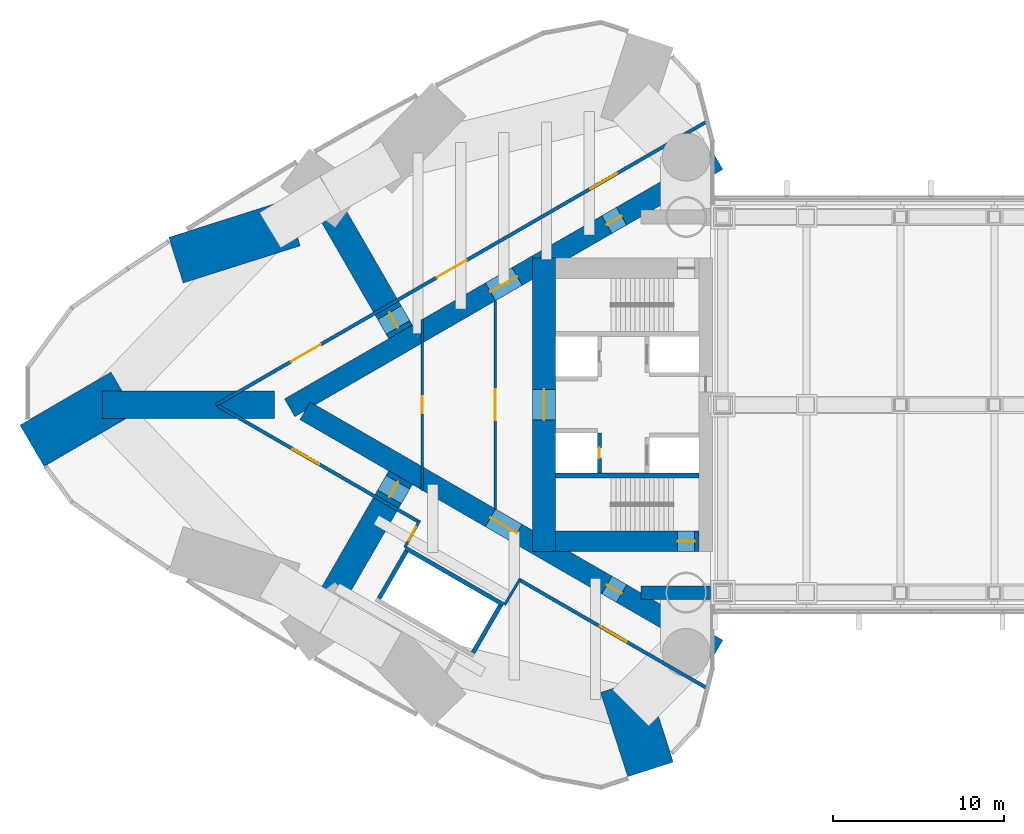
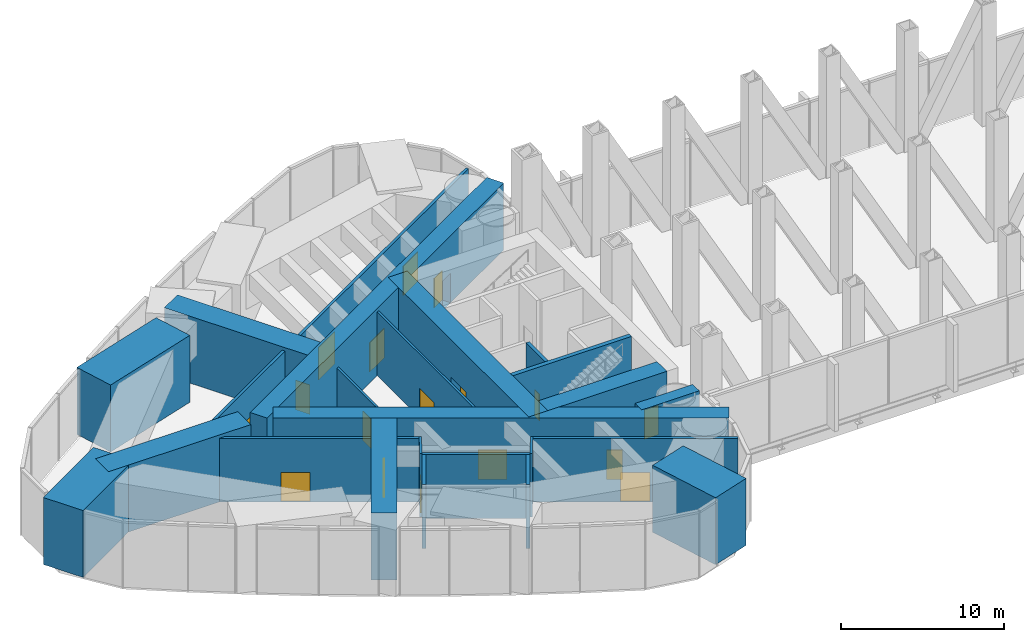
# One storey, part 16 of 21: 23 walls, 17 doors, 17 openings.
"""IFC4 building model written with IfcOpenShell, lengths in metres."""

from ifc_helpers import new_model, si_unit, direction, frame, frame_2d, origin, place, context, subcontext, project, spatial, rectangle, extrude, material, layer, layer_set, type_object, element, fill, save


model = new_model("IFC4")

# Units and contexts
model_context = context("Model", 3, precision=1e-05, world=origin(), true_north=direction((0.0, 1.0)))
body_context = subcontext(model_context, "Body", "Model", "MODEL_VIEW")
ifc_project = project(units=[si_unit("LENGTHUNIT", "METRE"), si_unit("AREAUNIT", "SQUARE_METRE"), si_unit("VOLUMEUNIT", "CUBIC_METRE"), si_unit("PLANEANGLEUNIT", "RADIAN"), si_unit("MASSUNIT", "GRAM", prefix="KILO")], contexts=[model_context])

# Site, building, storey
site_placement = place(None, origin())
site = spatial("IfcSite", under=ifc_project, at=site_placement, CompositionType="ELEMENT")
building_placement = place(site_placement, origin())
building = spatial("IfcBuilding", under=site, at=building_placement, Name="Lancet Gate Hotel", CompositionType="ELEMENT")
storey_placement = place(building_placement, frame((0.0, 0.0, 205.300048828125)))
storey = spatial("IfcBuildingStorey", under=building, at=storey_placement, Name="L55", CompositionType="ELEMENT", Elevation=205.300048828125)

# Wall, openings, doors
ifc_material_1 = material(Name="Concrete C70/85", Category="concrete")
ifc_layer_1 = layer(ifc_material_1, 1.199951171875)
ifc_layer_set_1 = layer_set([ifc_layer_1], Name="Buttress wall 1200")
wall_type_1 = type_object("IfcWallType", Name="Buttress wall 1200", PredefinedType="SHEAR", material=ifc_layer_set_1)
wall_1_placement = place(storey_placement, frame((-27.199951171875, 14.300048828125, 0.0), z_axis=(0.0, 0.0, 1.0), x_axis=(-0.866026593062, -0.499997940104, 0.0)))
wall_1 = element("IfcWall", 1, at=wall_1_placement, inside=storey, type_object=wall_type_1, Name="T1 buttress wall S L55", PredefinedType="SHEAR", context=body_context, shape_type="SweptSolid", body=[
    extrude(rectangle(XDim=28.9462890625, YDim=1.199951171875, at=frame_2d((14.47314453125, 0.0))), origin(), (0.0, 0.0, 1.0), 5.0),
])
opening_1_placement = place(wall_1_placement, frame((6.5, 0.0, 0.0)))
opening_1 = element("IfcOpeningElement", 2, at=opening_1_placement, cuts=wall_1, Name="Opening T1-L55-LS", PredefinedType="OPENING", context=body_context, shape_type="SweptSolid", body=[
    extrude(rectangle(XDim=1.0, YDim=2.199951171875, at=frame_2d((0.5, 1.10009765625))), frame((0.0, 0.60986328125, 0.0), z_axis=(0.0, -1.0, 0.0), x_axis=(1.0, 0.0, 0.0)), (0.0, 0.0, 1.0), 1.219970703125),
])
opening_2_placement = place(wall_1_placement, frame((13.567626953125, 0.0, 0.0)))
opening_2 = element("IfcOpeningElement", 3, at=opening_2_placement, cuts=wall_1, Name="Opening T1-L55-LHS", PredefinedType="OPENING", context=body_context, shape_type="SweptSolid", body=[
    extrude(rectangle(XDim=1.800048828125, YDim=2.199951171875, at=frame_2d((0.89990234375, 1.10009765625))), frame((0.0, 0.60986328125, 0.0), z_axis=(0.0, -1.0, 0.0), x_axis=(1.0, 0.0, 0.0)), (0.0, 0.0, 1.0), 1.219970703125),
])
ifc_material_2 = material(Name="Timber door set", Category="wood")
door_type_1 = type_object("IfcDoorType", Name="Lobby double door 1800", OperationType="DOUBLE_DOOR_SINGLE_SWING", PredefinedType="DOOR", material=ifc_material_2)
door_1_placement = place(opening_2_placement, origin())
door_1 = element("IfcDoor", 4, at=door_1_placement, inside=storey, type_object=door_type_1, Name="T1-L55-LHS", OperationType="DOUBLE_DOOR_SINGLE_SWING", OverallHeight=2.199951171875, OverallWidth=1.800048828125, PredefinedType="DOOR", context=body_context, shape_type="SweptSolid", body=[
    extrude(rectangle(XDim=1.800048828125, YDim=2.199951171875, at=frame_2d((0.89990234375, 1.10009765625))), frame((0.0, 0.02490234375, 0.0), z_axis=(0.0, -1.0, 0.0), x_axis=(1.0, 0.0, 0.0)), (0.0, 0.0, 1.0), 0.050048828125),
])
fill(opening_2, door_1)
ifc_material_3 = material(Name="Timber door set", Category="wood")
door_type_2 = type_object("IfcDoorType", Name="Stair lobby door 1000", OperationType="SINGLE_SWING_LEFT", PredefinedType="DOOR", material=ifc_material_3)
door_2_placement = place(opening_1_placement, origin())
door_2 = element("IfcDoor", 5, at=door_2_placement, inside=storey, type_object=door_type_2, Name="T1-L55-LS", OperationType="SINGLE_SWING_LEFT", OverallHeight=2.199951171875, OverallWidth=1.0, PredefinedType="DOOR", context=body_context, shape_type="SweptSolid", body=[
    extrude(rectangle(XDim=1.0, YDim=2.199951171875, at=frame_2d((0.5, 1.10009765625))), frame((0.0, 0.02490234375, 0.0), z_axis=(0.0, -1.0, 0.0), x_axis=(1.0, 0.0, 0.0)), (0.0, 0.0, 1.0), 0.050048828125),
])
fill(opening_1, door_2)

wall_2_placement = place(storey_placement, frame((-27.199951171875, -14.300048828125, 0.0), z_axis=(0.0, 0.0, 1.0), x_axis=(-0.866024021859, 0.500002393557, 0.0)))
wall_2 = element("IfcWall", 6, at=wall_2_placement, inside=storey, type_object=wall_type_1, Name="T1 buttress wall N L55", PredefinedType="SHEAR", context=body_context, shape_type="SweptSolid", body=[
    extrude(rectangle(XDim=27.906982421875, YDim=1.199951171875, at=frame_2d((13.95361328125, 0.0))), origin(), (0.0, 0.0, 1.0), 5.0),
])
opening_3_placement = place(wall_2_placement, frame((6.5, 0.0, 0.0)))
opening_3 = element("IfcOpeningElement", 7, at=opening_3_placement, cuts=wall_2, Name="Opening T1-L55-LN", PredefinedType="OPENING", context=body_context, shape_type="SweptSolid", body=[
    extrude(rectangle(XDim=1.0, YDim=2.199951171875, at=frame_2d((0.5, 1.10009765625))), frame((0.0, 0.60986328125, 0.0), z_axis=(0.0, -1.0, 0.0), x_axis=(1.0, 0.0, 0.0)), (0.0, 0.0, 1.0), 1.219970703125),
])
opening_4_placement = place(wall_2_placement, frame((13.567626953125, 0.0, 0.0)))
opening_4 = element("IfcOpeningElement", 8, at=opening_4_placement, cuts=wall_2, Name="Opening T1-L55-LHN", PredefinedType="OPENING", context=body_context, shape_type="SweptSolid", body=[
    extrude(rectangle(XDim=1.800048828125, YDim=2.199951171875, at=frame_2d((0.89990234375, 1.10009765625))), frame((0.0, 0.60986328125, 0.0), z_axis=(0.0, -1.0, 0.0), x_axis=(1.0, 0.0, 0.0)), (0.0, 0.0, 1.0), 1.219970703125),
])
door_3_placement = place(opening_4_placement, origin())
door_3 = element("IfcDoor", 9, at=door_3_placement, inside=storey, type_object=door_type_1, Name="T1-L55-LHN", OperationType="DOUBLE_DOOR_SINGLE_SWING", OverallHeight=2.199951171875, OverallWidth=1.800048828125, PredefinedType="DOOR", context=body_context, shape_type="SweptSolid", body=[
    extrude(rectangle(XDim=1.800048828125, YDim=2.199951171875, at=frame_2d((0.89990234375, 1.10009765625))), frame((0.0, 0.02490234375, 0.0), z_axis=(0.0, -1.0, 0.0), x_axis=(1.0, 0.0, 0.0)), (0.0, 0.0, 1.0), 0.050048828125),
])
fill(opening_4, door_3)
door_4_placement = place(opening_3_placement, origin())
door_4 = element("IfcDoor", 10, at=door_4_placement, inside=storey, type_object=door_type_2, Name="T1-L55-LN", OperationType="SINGLE_SWING_LEFT", OverallHeight=2.199951171875, OverallWidth=1.0, PredefinedType="DOOR", context=body_context, shape_type="SweptSolid", body=[
    extrude(rectangle(XDim=1.0, YDim=2.199951171875, at=frame_2d((0.5, 1.10009765625))), frame((0.0, 0.02490234375, 0.0), z_axis=(0.0, -1.0, 0.0), x_axis=(1.0, 0.0, 0.0)), (0.0, 0.0, 1.0), 0.050048828125),
])
fill(opening_3, door_4)

# Wall, opening, door
ifc_material_4 = material(Name="Concrete C70/85", Category="concrete")
ifc_layer_2 = layer(ifc_material_4, 1.35009765625)
ifc_layer_set_2 = layer_set([ifc_layer_2], Name="Core back wall 1350, outrigger storeys")
wall_type_2 = type_object("IfcWallType", Name="Core back wall 1350, outrigger storeys", PredefinedType="SHEAR", material=ifc_layer_set_2)
wall_3_placement = place(storey_placement, frame((-37.375, 8.60009765625, 0.0), z_axis=(0.0, 0.0, 1.0), x_axis=(0.0, -1.0, 0.0)))
wall_3 = element("IfcWall", 11, at=wall_3_placement, inside=storey, type_object=wall_type_2, Name="T1 core wall back L55", PredefinedType="SHEAR", context=body_context, shape_type="SweptSolid", body=[
    extrude(rectangle(XDim=17.2001953125, YDim=1.35009765625, at=frame_2d((8.60009765625, 0.0))), origin(), (0.0, 0.0, 1.0), 5.0),
])
opening_5_placement = place(wall_3_placement, frame((7.699951171875, 0.0, 0.0)))
opening_5 = element("IfcOpeningElement", 12, at=opening_5_placement, cuts=wall_3, Name="Opening T1-L55-LL", PredefinedType="OPENING", context=body_context, shape_type="SweptSolid", body=[
    extrude(rectangle(XDim=1.800048828125, YDim=2.199951171875, at=frame_2d((0.89990234375, 1.10009765625))), frame((0.0, 0.68505859375, 0.0), z_axis=(0.0, -1.0, 0.0), x_axis=(1.0, 0.0, 0.0)), (0.0, 0.0, 1.0), 1.3701171875),
])
door_5_placement = place(opening_5_placement, origin())
door_5 = element("IfcDoor", 13, at=door_5_placement, inside=storey, type_object=door_type_1, Name="T1-L55-LL", OperationType="DOUBLE_DOOR_SINGLE_SWING", OverallHeight=2.199951171875, OverallWidth=1.800048828125, PredefinedType="DOOR", context=body_context, shape_type="SweptSolid", body=[
    extrude(rectangle(XDim=1.800048828125, YDim=2.199951171875, at=frame_2d((0.89990234375, 1.10009765625))), frame((0.0, 0.02490234375, 0.0), z_axis=(0.0, -1.0, 0.0), x_axis=(1.0, 0.0, 0.0)), (0.0, 0.0, 1.0), 0.050048828125),
])
fill(opening_5, door_5)

ifc_material_5 = material(Name="Concrete C70/85", Category="concrete")
ifc_layer_3 = layer(ifc_material_5, 1.199951171875)
ifc_layer_set_3 = layer_set([ifc_layer_3], Name="Core wall 1200")
wall_type_3 = type_object("IfcWallType", Name="Core wall 1200", PredefinedType="SHEAR", material=ifc_layer_set_3)
wall_4_placement = place(storey_placement, frame((-28.300048828125, -8.0, 0.0), z_axis=(0.0, 0.0, 1.0), x_axis=(-1.0, 0.0, 0.0)))
wall_4 = element("IfcWall", 14, at=wall_4_placement, inside=storey, type_object=wall_type_3, Name="T1 core wall side-N L55", PredefinedType="SHEAR", context=body_context, shape_type="SweptSolid", body=[
    extrude(rectangle(XDim=8.39990234375, YDim=1.199951171875, at=frame_2d((4.199951171875, 0.0))), origin(), (0.0, 0.0, 1.0), 5.0),
])
opening_6_placement = place(wall_4_placement, frame((0.25, 0.0, 0.0)))
opening_6 = element("IfcOpeningElement", 15, at=opening_6_placement, cuts=wall_4, Name="Opening T1-L55-ST2", PredefinedType="OPENING", context=body_context, shape_type="SweptSolid", body=[
    extrude(rectangle(XDim=1.0, YDim=2.199951171875, at=frame_2d((0.5, 1.10009765625))), frame((0.0, 0.60986328125, 0.0), z_axis=(0.0, -1.0, 0.0), x_axis=(1.0, 0.0, 0.0)), (0.0, 0.0, 1.0), 1.219970703125),
])
ifc_material_6 = material(Name="Timber door set", Category="wood")
door_type_3 = type_object("IfcDoorType", Name="Stair door 1000", OperationType="SINGLE_SWING_RIGHT", PredefinedType="DOOR", material=ifc_material_6)
door_6_placement = place(opening_6_placement, origin())
door_6 = element("IfcDoor", 16, at=door_6_placement, inside=storey, type_object=door_type_3, Name="T1-L55-ST2", OperationType="SINGLE_SWING_RIGHT", OverallHeight=2.199951171875, OverallWidth=1.0, PredefinedType="DOOR", context=body_context, shape_type="SweptSolid", body=[
    extrude(rectangle(XDim=1.0, YDim=2.199951171875, at=frame_2d((0.5, 1.10009765625))), frame((0.0, 0.02490234375, 0.0), z_axis=(0.0, -1.0, 0.0), x_axis=(1.0, 0.0, 0.0)), (0.0, 0.0, 1.0), 0.050048828125),
])
fill(opening_6, door_6)

# Wall, openings, doors
ifc_material_7 = material(Name="Gypsum board partition")
ifc_layer_4 = layer(ifc_material_7, 0.199951171875)
ifc_layer_set_4 = layer_set([ifc_layer_4], Name="Corridor wall 200")
wall_type_4 = type_object("IfcWallType", Name="Corridor wall 200", PredefinedType="PARTITIONING", material=ifc_layer_set_4)
wall_5_placement = place(storey_placement, frame((-27.860107421875, 16.57470703125, 0.0), z_axis=(0.0, 0.0, 1.0), x_axis=(-0.866025533911, -0.499999774615, 0.0)))
wall_5 = element("IfcWall", 17, at=wall_5_placement, inside=storey, type_object=wall_type_4, Name="T1 corridor wall 200 L55", PredefinedType="PARTITIONING", context=body_context, shape_type="SweptSolid", body=[
    extrude(rectangle(XDim=33.1494140625, YDim=0.199951171875, at=frame_2d((16.57470703125, 0.0))), origin(), (0.0, 0.0, 1.0), 4.75),
])
opening_7_placement = place(wall_5_placement, frame((6.05078125, 0.0, 0.0)))
opening_7 = element("IfcOpeningElement", 18, at=opening_7_placement, cuts=wall_5, Name="Opening T1-L55-TA01", PredefinedType="OPENING", context=body_context, shape_type="SweptSolid", body=[
    extrude(rectangle(XDim=1.800048828125, YDim=2.199951171875, at=frame_2d((0.89990234375, 1.10009765625))), frame((0.0, 0.10986328125, 0.0), z_axis=(0.0, -1.0, 0.0), x_axis=(1.0, 0.0, 0.0)), (0.0, 0.0, 1.0), 0.219970703125),
])
opening_8_placement = place(wall_5_placement, frame((16.23388671875, 0.0, 0.0)))
opening_8 = element("IfcOpeningElement", 19, at=opening_8_placement, cuts=wall_5, Name="Opening T1-L55-TA02", PredefinedType="OPENING", context=body_context, shape_type="SweptSolid", body=[
    extrude(rectangle(XDim=2.0, YDim=2.39990234375, at=frame_2d((1.0, 1.199951171875))), frame((0.0, 0.10986328125, 0.0), z_axis=(0.0, -1.0, 0.0), x_axis=(1.0, 0.0, 0.0)), (0.0, 0.0, 1.0), 0.219970703125),
])
opening_9_placement = place(wall_5_placement, frame((26.081787109375, 0.0, 0.0)))
opening_9 = element("IfcOpeningElement", 20, at=opening_9_placement, cuts=wall_5, Name="Opening T1-L55-TA03", PredefinedType="OPENING", context=body_context, shape_type="SweptSolid", body=[
    extrude(rectangle(XDim=2.0, YDim=2.39990234375, at=frame_2d((1.0, 1.199951171875))), frame((0.0, 0.10986328125, 0.0), z_axis=(0.0, -1.0, 0.0), x_axis=(1.0, 0.0, 0.0)), (0.0, 0.0, 1.0), 0.219970703125),
])
ifc_material_8 = material(Name="Timber door set", Category="wood")
door_type_4 = type_object("IfcDoorType", Name="Double door 1800", OperationType="DOUBLE_DOOR_SINGLE_SWING", PredefinedType="DOOR", material=ifc_material_8)
door_7_placement = place(opening_7_placement, origin())
door_7 = element("IfcDoor", 21, at=door_7_placement, inside=storey, type_object=door_type_4, Name="T1-L55-TA01", OperationType="DOUBLE_DOOR_SINGLE_SWING", OverallHeight=2.199951171875, OverallWidth=1.800048828125, PredefinedType="DOOR", context=body_context, shape_type="SweptSolid", body=[
    extrude(rectangle(XDim=1.800048828125, YDim=2.199951171875, at=frame_2d((0.89990234375, 1.10009765625))), frame((0.0, 0.02490234375, 0.0), z_axis=(0.0, -1.0, 0.0), x_axis=(1.0, 0.0, 0.0)), (0.0, 0.0, 1.0), 0.050048828125),
])
fill(opening_7, door_7)
ifc_material_9 = material(Name="Timber door set", Category="wood")
door_type_5 = type_object("IfcDoorType", Name="Plant room double door 2000", OperationType="DOUBLE_DOOR_SINGLE_SWING", PredefinedType="DOOR", material=ifc_material_9)
door_8_placement = place(opening_8_placement, origin())
door_8 = element("IfcDoor", 22, at=door_8_placement, inside=storey, type_object=door_type_5, Name="T1-L55-TA02", OperationType="DOUBLE_DOOR_SINGLE_SWING", OverallHeight=2.39990234375, OverallWidth=2.0, PredefinedType="DOOR", context=body_context, shape_type="SweptSolid", body=[
    extrude(rectangle(XDim=2.0, YDim=2.39990234375, at=frame_2d((1.0, 1.199951171875))), frame((0.0, 0.02490234375, 0.0), z_axis=(0.0, -1.0, 0.0), x_axis=(1.0, 0.0, 0.0)), (0.0, 0.0, 1.0), 0.050048828125),
])
fill(opening_8, door_8)
door_9_placement = place(opening_9_placement, origin())
door_9 = element("IfcDoor", 23, at=door_9_placement, inside=storey, type_object=door_type_5, Name="T1-L55-TA03", OperationType="DOUBLE_DOOR_SINGLE_SWING", OverallHeight=2.39990234375, OverallWidth=2.0, PredefinedType="DOOR", context=body_context, shape_type="SweptSolid", body=[
    extrude(rectangle(XDim=2.0, YDim=2.39990234375, at=frame_2d((1.0, 1.199951171875))), frame((0.0, 0.02490234375, 0.0), z_axis=(0.0, -1.0, 0.0), x_axis=(1.0, 0.0, 0.0)), (0.0, 0.0, 1.0), 0.050048828125),
])
fill(opening_9, door_9)

# Wall, opening, door
wall_6_placement = place(storey_placement, frame((-27.860107421875, -16.57470703125, 0.0), z_axis=(0.0, 0.0, 1.0), x_axis=(-0.866027756871, 0.499995924312, 0.0)))
wall_6 = element("IfcWall", 24, at=wall_6_placement, inside=storey, type_object=wall_type_4, Name="T1 corridor wall 200 L55", PredefinedType="PARTITIONING", context=body_context, shape_type="SweptSolid", body=[
    extrude(rectangle(XDim=12.6220703125, YDim=0.199951171875, at=frame_2d((6.31103515625, 0.0))), origin(), (0.0, 0.0, 1.0), 4.75),
])
opening_10_placement = place(wall_6_placement, frame((5.4111328125, 0.0, 0.0)))
opening_10 = element("IfcOpeningElement", 25, at=opening_10_placement, cuts=wall_6, Name="Opening T1-L55-TA08", PredefinedType="OPENING", context=body_context, shape_type="SweptSolid", body=[
    extrude(rectangle(XDim=1.800048828125, YDim=2.199951171875, at=frame_2d((0.89990234375, 1.10009765625))), frame((0.0, 0.10986328125, 0.0), z_axis=(0.0, -1.0, 0.0), x_axis=(1.0, 0.0, 0.0)), (0.0, 0.0, 1.0), 0.219970703125),
])
door_10_placement = place(opening_10_placement, origin())
door_10 = element("IfcDoor", 26, at=door_10_placement, inside=storey, type_object=door_type_4, Name="T1-L55-TA08", OperationType="DOUBLE_DOOR_SINGLE_SWING", OverallHeight=2.199951171875, OverallWidth=1.800048828125, PredefinedType="DOOR", context=body_context, shape_type="SweptSolid", body=[
    extrude(rectangle(XDim=1.800048828125, YDim=2.199951171875, at=frame_2d((0.89990234375, 1.10009765625))), frame((0.0, 0.02490234375, 0.0), z_axis=(0.0, -1.0, 0.0), x_axis=(1.0, 0.0, 0.0)), (0.0, 0.0, 1.0), 0.050048828125),
])
fill(opening_10, door_10)

wall_7_placement = place(storey_placement, frame((-44.715087890625, -6.843505859375, 0.0), z_axis=(0.0, 0.0, 1.0), x_axis=(-0.866025261224, 0.500000246922, 0.0)))
wall_7 = element("IfcWall", 27, at=wall_7_placement, inside=storey, type_object=wall_type_4, Name="T1 corridor wall 200 L55", PredefinedType="PARTITIONING", context=body_context, shape_type="SweptSolid", body=[
    extrude(rectangle(XDim=13.56689453125, YDim=0.199951171875, at=frame_2d((6.783447265625, 0.0))), origin(), (0.0, 0.0, 1.0), 4.75),
])
opening_11_placement = place(wall_7_placement, frame((6.71923828125, 0.0, 0.0)))
opening_11 = element("IfcOpeningElement", 28, at=opening_11_placement, cuts=wall_7, Name="Opening T1-L55-TA05", PredefinedType="OPENING", context=body_context, shape_type="SweptSolid", body=[
    extrude(rectangle(XDim=1.800048828125, YDim=2.199951171875, at=frame_2d((0.89990234375, 1.10009765625))), frame((0.0, 0.10986328125, 0.0), z_axis=(0.0, -1.0, 0.0), x_axis=(1.0, 0.0, 0.0)), (0.0, 0.0, 1.0), 0.219970703125),
])
door_11_placement = place(opening_11_placement, origin())
door_11 = element("IfcDoor", 29, at=door_11_placement, inside=storey, type_object=door_type_4, Name="T1-L55-TA05", OperationType="DOUBLE_DOOR_SINGLE_SWING", OverallHeight=2.199951171875, OverallWidth=1.800048828125, PredefinedType="DOOR", context=body_context, shape_type="SweptSolid", body=[
    extrude(rectangle(XDim=1.800048828125, YDim=2.199951171875, at=frame_2d((0.89990234375, 1.10009765625))), frame((0.0, 0.02490234375, 0.0), z_axis=(0.0, -1.0, 0.0), x_axis=(1.0, 0.0, 0.0)), (0.0, 0.0, 1.0), 0.050048828125),
])
fill(opening_11, door_11)

# Walls
ifc_material_10 = material(Name="Gypsum board partition")
ifc_layer_5 = layer(ifc_material_10, 0.25)
ifc_layer_set_5 = layer_set([ifc_layer_5], Name="Lift shaft partition 250")
wall_type_5 = type_object("IfcWallType", Name="Lift shaft partition 250", PredefinedType="PARTITIONING", material=ifc_layer_set_5)
wall_8_placement = place(storey_placement, frame((-39.757568359375, -11.697265625, 0.0), z_axis=(0.0, 0.0, 1.0), x_axis=(-0.866024194504, 0.500002094529, 0.0)))
element("IfcWall", 30, at=wall_8_placement, inside=storey, type_object=wall_type_5, Name="T1 lift shaft wall HL L55", PredefinedType="PARTITIONING", context=body_context, shape_type="SweptSolid", body=[
    extrude(rectangle(XDim=6.60009765625, YDim=0.25, at=frame_2d((3.300048828125, 0.0))), origin(), (0.0, 0.0, 1.0), 4.75),
])
for number, where, z_axis, x_axis, name in (
    (31, (-39.92822265625, -11.742919921875, 0.0), (0.0, 0.0, 1.0), (-0.499929347863, -0.866066190972, 0.0), "T1 lift shaft wall HL L55"),
    (32, (-45.427734375, -8.568115234375, 0.0), (0.0, 0.0, 1.0), (-0.499929347863, -0.866066190972, 0.0), "T1 lift shaft wall HL L55"),
):
    element("IfcWall", number, at=place(storey_placement, frame(where, z_axis=z_axis, x_axis=x_axis)), inside=storey, type_object=wall_type_5, Name=name, PredefinedType="PARTITIONING", context=body_context, shape_type="SweptSolid", body=[
        extrude(rectangle(XDim=3.20068359375, YDim=0.25, at=frame_2d((1.600341796875, 0.0))), origin(), (0.0, 0.0, 1.0), 4.75),
    ])

# Wall, opening, door
ifc_material_11 = material(Name="Concrete C50/60", Category="concrete")
ifc_layer_6 = layer(ifc_material_11, 0.25)
ifc_layer_set_6 = layer_set([ifc_layer_6], Name="Lift shaft wall 250")
wall_type_6 = type_object("IfcWallType", Name="Lift shaft wall 250", PredefinedType="SHEAR", material=ifc_layer_set_6)
wall_9_placement = place(storey_placement, frame((-34.125, -1.64990234375, 0.0), z_axis=(0.0, 0.0, 1.0), x_axis=(0.0, -1.0, 0.0)))
wall_9 = element("IfcWall", 33, at=wall_9_placement, inside=storey, type_object=wall_type_6, Name="T1 core wall row2-N L55", PredefinedType="SHEAR", context=body_context, shape_type="SweptSolid", body=[
    extrude(rectangle(XDim=2.35009765625, YDim=0.25, at=frame_2d((1.175048828125, 0.0))), origin(), (0.0, 0.0, 1.0), 5.0),
])
opening_12_placement = place(wall_9_placement, frame((0.875, 0.0, 0.0)))
opening_12 = element("IfcOpeningElement", 34, at=opening_12_placement, cuts=wall_9, Name="Opening T1-OL4-L55-E", PredefinedType="OPENING", context=body_context, shape_type="SweptSolid", body=[
    extrude(rectangle(XDim=0.60009765625, YDim=2.0, at=frame_2d((0.300048828125, 1.0))), frame((0.0, 0.135009765625, 0.0), z_axis=(0.0, -1.0, 0.0), x_axis=(1.0, 0.0, 0.0)), (0.0, 0.0, 1.0), 0.27001953125),
])
ifc_material_12 = material(Name="Steel door set", Category="steel")
door_type_6 = type_object("IfcDoorType", Name="Lift shaft emergency door 600x2000", OperationType="SLIDING_TO_LEFT", PredefinedType="DOOR", material=ifc_material_12)
door_12_placement = place(opening_12_placement, origin())
door_12 = element("IfcDoor", 35, at=door_12_placement, inside=storey, type_object=door_type_6, Name="T1-OL4-L55-E", OperationType="SLIDING_TO_LEFT", OverallHeight=2.0, OverallWidth=0.60009765625, PredefinedType="DOOR", context=body_context, shape_type="SweptSolid", body=[
    extrude(rectangle(XDim=0.60009765625, YDim=2.0, at=frame_2d((0.300048828125, 1.0))), frame((0.0, 0.02490234375, 0.0), z_axis=(0.0, -1.0, 0.0), x_axis=(1.0, 0.0, 0.0)), (0.0, 0.0, 1.0), 0.050048828125),
])
fill(opening_12, door_12)

ifc_material_13 = material(Name="Concrete C80/95", Category="concrete")
ifc_layer_7 = layer(ifc_material_13, 1.60009765625)
ifc_layer_set_7 = layer_set([ifc_layer_7], Name="Outrigger wall 1600")
wall_type_7 = type_object("IfcWallType", Name="Outrigger wall 1600", PredefinedType="SHEAR", material=ifc_layer_set_7)
wall_10_placement = place(storey_placement, frame((-45.7734375, 4.26953125, 0.0), z_axis=(0.0, 0.0, 1.0), x_axis=(-0.499995723283, 0.866027872934, 0.0)))
wall_10 = element("IfcWall", 36, at=wall_10_placement, inside=storey, type_object=wall_type_7, Name="T1 outrigger wall OS2 L55", PredefinedType="SHEAR", context=body_context, shape_type="SweptSolid", body=[
    extrude(rectangle(XDim=10.130859375, YDim=1.60009765625, at=frame_2d((5.0654296875, 0.0))), origin(), (0.0, 0.0, 1.0), 5.0),
])
opening_13_placement = place(wall_10_placement, frame((0.300048828125, 0.0, 0.0)))
opening_13 = element("IfcOpeningElement", 37, at=opening_13_placement, cuts=wall_10, Name="Opening T1-L55-LSO", PredefinedType="OPENING", context=body_context, shape_type="SweptSolid", body=[
    extrude(rectangle(XDim=1.0, YDim=2.199951171875, at=frame_2d((0.5, 1.10009765625))), frame((0.0, 0.81005859375, 0.0), z_axis=(0.0, -1.0, 0.0), x_axis=(1.0, 0.0, 0.0)), (0.0, 0.0, 1.0), 1.6201171875),
])
ifc_material_14 = material(Name="Timber door set", Category="wood")
door_type_7 = type_object("IfcDoorType", Name="Corridor door 1000", OperationType="SINGLE_SWING_LEFT", PredefinedType="DOOR", material=ifc_material_14)
door_13_placement = place(opening_13_placement, origin())
door_13 = element("IfcDoor", 38, at=door_13_placement, inside=storey, type_object=door_type_7, Name="T1-L55-LSO", OperationType="SINGLE_SWING_LEFT", OverallHeight=2.199951171875, OverallWidth=1.0, PredefinedType="DOOR", context=body_context, shape_type="SweptSolid", body=[
    extrude(rectangle(XDim=1.0, YDim=2.199951171875, at=frame_2d((0.5, 1.10009765625))), frame((0.0, 0.02490234375, 0.0), z_axis=(0.0, -1.0, 0.0), x_axis=(1.0, 0.0, 0.0)), (0.0, 0.0, 1.0), 0.050048828125),
])
fill(opening_13, door_13)

# Wall
wall_11_placement = place(storey_placement, frame((-53.168212890625, 0.0, 0.0), z_axis=(0.0, 0.0, 1.0), x_axis=(-1.0, 0.0, 0.0)))
element("IfcWall", 39, at=wall_11_placement, inside=storey, type_object=wall_type_7, Name="T1 outrigger wall CA L55", PredefinedType="SHEAR", context=body_context, shape_type="SweptSolid", body=[
    extrude(rectangle(XDim=10.066162109375, YDim=1.60009765625, at=frame_2d((5.033203125, 0.0))), origin(), (0.0, 0.0, 1.0), 5.0),
])

# Wall, opening, door
wall_12_placement = place(storey_placement, frame((-45.7734375, -4.26953125, 0.0), z_axis=(0.0, 0.0, 1.0), x_axis=(-0.499995723283, -0.866027872934, 0.0)))
wall_12 = element("IfcWall", 40, at=wall_12_placement, inside=storey, type_object=wall_type_7, Name="T1 outrigger wall ON2 L55", PredefinedType="SHEAR", context=body_context, shape_type="SweptSolid", body=[
    extrude(rectangle(XDim=10.130859375, YDim=1.60009765625, at=frame_2d((5.0654296875, 0.0))), origin(), (0.0, 0.0, 1.0), 5.0),
])
opening_14_placement = place(wall_12_placement, frame((0.300048828125, 0.0, 0.0)))
opening_14 = element("IfcOpeningElement", 41, at=opening_14_placement, cuts=wall_12, Name="Opening T1-L55-LNO", PredefinedType="OPENING", context=body_context, shape_type="SweptSolid", body=[
    extrude(rectangle(XDim=1.0, YDim=2.199951171875, at=frame_2d((0.5, 1.10009765625))), frame((0.0, 0.81005859375, 0.0), z_axis=(0.0, -1.0, 0.0), x_axis=(1.0, 0.0, 0.0)), (0.0, 0.0, 1.0), 1.6201171875),
])
door_14_placement = place(opening_14_placement, origin())
door_14 = element("IfcDoor", 42, at=door_14_placement, inside=storey, type_object=door_type_7, Name="T1-L55-LNO", OperationType="SINGLE_SWING_LEFT", OverallHeight=2.199951171875, OverallWidth=1.0, PredefinedType="DOOR", context=body_context, shape_type="SweptSolid", body=[
    extrude(rectangle(XDim=1.0, YDim=2.199951171875, at=frame_2d((0.5, 1.10009765625))), frame((0.0, 0.02490234375, 0.0), z_axis=(0.0, -1.0, 0.0), x_axis=(1.0, 0.0, 0.0)), (0.0, 0.0, 1.0), 0.050048828125),
])
fill(opening_14, door_14)

# Walls
ifc_material_15 = material(Name="Concrete C70/85", Category="concrete")
ifc_layer_8 = layer(ifc_material_15, 0.800048828125)
ifc_layer_set_8 = layer_set([ifc_layer_8], Name="Outrigger wall 800, truss lines")
wall_type_8 = type_object("IfcWallType", Name="Outrigger wall 800, truss lines", PredefinedType="SHEAR", material=ifc_layer_set_8)
wall_13_placement = place(storey_placement, frame((-27.6201171875, -11.0, 0.0), z_axis=(0.0, 0.0, 1.0), x_axis=(-1.0, 0.0, 0.0)))
element("IfcWall", 43, at=wall_13_placement, inside=storey, type_object=wall_type_8, Name="T1 transfer wall TS L55", PredefinedType="SHEAR", context=body_context, shape_type="SweptSolid", body=[
    extrude(rectangle(XDim=4.07568359375, YDim=0.800048828125, at=frame_2d((2.037841796875, 0.0))), origin(), (0.0, 0.0, 1.0), 5.0),
])
ifc_material_16 = material(Name="Concrete C80/95", Category="concrete")
ifc_layer_9 = layer(ifc_material_16, 2.800048828125)
ifc_layer_set_9 = layer_set([ifc_layer_9], Name="Radial transfer wall 2800")
wall_type_9 = type_object("IfcWallType", Name="Radial transfer wall 2800", PredefinedType="SHEAR", material=ifc_layer_set_9)
wall_14_placement = place(storey_placement, frame((-67.35205078125, -2.400390625, 0.0), z_axis=(0.0, 0.0, 1.0), x_axis=(0.863922467906, 0.503624830054, 0.0)))
element("IfcWall", 44, at=wall_14_placement, inside=storey, type_object=wall_type_9, Name="T1 radial transfer wall CA L55", PredefinedType="SHEAR", context=body_context, shape_type="SweptSolid", body=[
    extrude(rectangle(XDim=6.166259765625, YDim=2.800048828125, at=frame_2d((3.0830078125, 0.0))), origin(), (0.0, 0.0, 1.0), 5.0),
])
wall_15_placement = place(storey_placement, frame((-31.1337890625, -21.34765625, 0.0), z_axis=(0.0, 0.0, 1.0), x_axis=(-0.308266410133, 0.951300068529, 0.0)))
element("IfcWall", 45, at=wall_15_placement, inside=storey, type_object=wall_type_9, Name="T1 radial transfer wall CN L55", PredefinedType="SHEAR", context=body_context, shape_type="SweptSolid", body=[
    extrude(rectangle(XDim=5.186767578125, YDim=2.800048828125, at=frame_2d((2.59326171875, 0.0))), origin(), (0.0, 0.0, 1.0), 5.0),
])
wall_16_placement = place(storey_placement, frame((-58.924072265625, 8.469970703125, 0.0), z_axis=(0.0, 0.0, 1.0), x_axis=(0.953237559777, 0.302222028698, 0.0)))
element("IfcWall", 46, at=wall_16_placement, inside=storey, type_object=wall_type_9, Name="T1 radial transfer wall OS3 L55", PredefinedType="SHEAR", context=body_context, shape_type="SweptSolid", body=[
    extrude(rectangle(XDim=7.187255859375, YDim=2.800048828125, at=frame_2d((3.59375, 0.0))), origin(), (0.0, 0.0, 1.0), 5.0),
])

# Wall, opening, door
ifc_material_17 = material(Name="Gypsum board partition")
ifc_layer_10 = layer(ifc_material_17, 0.14990234375)
ifc_layer_set_10 = layer_set([ifc_layer_10], Name="Service room wall 150")
wall_type_10 = type_object("IfcWallType", Name="Service room wall 150", PredefinedType="PARTITIONING", material=ifc_layer_set_10)
wall_17_placement = place(storey_placement, frame((-44.652099609375, -6.764404296875, 0.0), z_axis=(0.0, 0.0, 1.0), x_axis=(-0.485528096672, -0.8742210632, 0.0)))
wall_17 = element("IfcWall", 47, at=wall_17_placement, inside=storey, type_object=wall_type_10, Name="T1 service room wall 150 L55", PredefinedType="PARTITIONING", context=body_context, shape_type="SweptSolid", body=[
    extrude(rectangle(XDim=1.80517578125, YDim=0.14990234375, at=frame_2d((0.902587890625, 0.0))), origin(), (0.0, 0.0, 1.0), 4.75),
])
opening_15_placement = place(wall_17_placement, frame((0.45263671875, 0.0, 0.0)))
opening_15 = element("IfcOpeningElement", 48, at=opening_15_placement, cuts=wall_17, Name="Opening T1-L55-TA07", PredefinedType="OPENING", context=body_context, shape_type="SweptSolid", body=[
    extrude(rectangle(XDim=0.89990234375, YDim=2.199951171875, at=frame_2d((0.449951171875, 1.10009765625))), frame((0.0, 0.0849609375, 0.0), z_axis=(0.0, -1.0, 0.0), x_axis=(1.0, 0.0, 0.0)), (0.0, 0.0, 1.0), 0.169921875),
])
ifc_material_18 = material(Name="Timber door set", Category="wood")
door_type_8 = type_object("IfcDoorType", Name="Guest room entry door 950", OperationType="SINGLE_SWING_LEFT", PredefinedType="DOOR", material=ifc_material_18)
door_15_placement = place(opening_15_placement, origin())
door_15 = element("IfcDoor", 49, at=door_15_placement, inside=storey, type_object=door_type_8, Name="T1-L55-TA07", OperationType="SINGLE_SWING_LEFT", OverallHeight=2.199951171875, OverallWidth=0.89990234375, PredefinedType="DOOR", context=body_context, shape_type="SweptSolid", body=[
    extrude(rectangle(XDim=0.89990234375, YDim=2.199951171875, at=frame_2d((0.449951171875, 1.10009765625))), frame((0.0, 0.02490234375, 0.0), z_axis=(0.0, -1.0, 0.0), x_axis=(1.0, 0.0, 0.0)), (0.0, 0.0, 1.0), 0.050048828125),
])
fill(opening_15, door_15)

# Wall
wall_18_placement = place(storey_placement, frame((-39.6826171875, -11.717529296875, 0.0), z_axis=(0.0, 0.0, 1.0), x_axis=(0.514336634837, 0.857588377991, 0.0)))
element("IfcWall", 50, at=wall_18_placement, inside=storey, type_object=wall_type_10, Name="T1 service room wall 150 L55", PredefinedType="PARTITIONING", context=body_context, shape_type="SweptSolid", body=[
    extrude(rectangle(XDim=1.80517578125, YDim=0.14990234375, at=frame_2d((0.902587890625, 0.0))), origin(), (0.0, 0.0, 1.0), 4.75),
])

# Wall, opening, door
wall_19_placement = place(storey_placement, frame((-40.22509765625, 6.087158203125, 0.0), z_axis=(0.0, 0.0, 1.0), x_axis=(0.0, -1.0, 0.0)))
wall_19 = element("IfcWall", 51, at=wall_19_placement, inside=storey, type_object=wall_type_10, Name="T1 service room wall 150 L55", PredefinedType="PARTITIONING", context=body_context, shape_type="SweptSolid", body=[
    extrude(rectangle(XDim=12.17431640625, YDim=0.14990234375, at=frame_2d((6.087158203125, 0.0))), origin(), (0.0, 0.0, 1.0), 4.75),
])
opening_16_placement = place(wall_19_placement, frame((5.187255859375, 0.0, 0.0)))
opening_16 = element("IfcOpeningElement", 52, at=opening_16_placement, cuts=wall_19, Name="Opening T1-L55-LH", PredefinedType="OPENING", context=body_context, shape_type="SweptSolid", body=[
    extrude(rectangle(XDim=1.800048828125, YDim=2.199951171875, at=frame_2d((0.89990234375, 1.10009765625))), frame((0.0, 0.0849609375, 0.0), z_axis=(0.0, -1.0, 0.0), x_axis=(1.0, 0.0, 0.0)), (0.0, 0.0, 1.0), 0.169921875),
])
door_16_placement = place(opening_16_placement, origin())
door_16 = element("IfcDoor", 53, at=door_16_placement, inside=storey, type_object=door_type_1, Name="T1-L55-LH", OperationType="DOUBLE_DOOR_SINGLE_SWING", OverallHeight=2.199951171875, OverallWidth=1.800048828125, PredefinedType="DOOR", context=body_context, shape_type="SweptSolid", body=[
    extrude(rectangle(XDim=1.800048828125, YDim=2.199951171875, at=frame_2d((0.89990234375, 1.10009765625))), frame((0.0, 0.02490234375, 0.0), z_axis=(0.0, -1.0, 0.0), x_axis=(1.0, 0.0, 0.0)), (0.0, 0.0, 1.0), 0.050048828125),
])
fill(opening_16, door_16)

wall_20_placement = place(storey_placement, frame((-44.5, 5.004638671875, 0.0), z_axis=(0.0, 0.0, 1.0), x_axis=(0.0, -1.0, 0.0)))
wall_20 = element("IfcWall", 54, at=wall_20_placement, inside=storey, type_object=wall_type_10, Name="T1 service room wall 150 L55", PredefinedType="PARTITIONING", context=body_context, shape_type="SweptSolid", body=[
    extrude(rectangle(XDim=10.00927734375, YDim=0.14990234375, at=frame_2d((5.004638671875, 0.0))), origin(), (0.0, 0.0, 1.0), 3.550048828125),
])
opening_17_placement = place(wall_20_placement, frame((4.504638671875, 0.0, 0.0)))
opening_17 = element("IfcOpeningElement", 55, at=opening_17_placement, cuts=wall_20, Name="Opening T1-L55-SV", PredefinedType="OPENING", context=body_context, shape_type="SweptSolid", body=[
    extrude(rectangle(XDim=1.0, YDim=2.199951171875, at=frame_2d((0.5, 1.10009765625))), frame((0.0, 0.0849609375, 0.0), z_axis=(0.0, -1.0, 0.0), x_axis=(1.0, 0.0, 0.0)), (0.0, 0.0, 1.0), 0.169921875),
])
ifc_material_19 = material(Name="Timber door set", Category="wood")
door_type_9 = type_object("IfcDoorType", Name="Service door 1000", OperationType="SINGLE_SWING_LEFT", PredefinedType="DOOR", material=ifc_material_19)
door_17_placement = place(opening_17_placement, origin())
door_17 = element("IfcDoor", 56, at=door_17_placement, inside=storey, type_object=door_type_9, Name="T1-L55-SV", OperationType="SINGLE_SWING_LEFT", OverallHeight=2.199951171875, OverallWidth=1.0, PredefinedType="DOOR", context=body_context, shape_type="SweptSolid", body=[
    extrude(rectangle(XDim=1.0, YDim=2.199951171875, at=frame_2d((0.5, 1.10009765625))), frame((0.0, 0.02490234375, 0.0), z_axis=(0.0, -1.0, 0.0), x_axis=(1.0, 0.0, 0.0)), (0.0, 0.0, 1.0), 0.050048828125),
])
fill(opening_17, door_17)

# Wall
ifc_material_20 = material(Name="Concrete C50/60", Category="concrete")
ifc_layer_11 = layer(ifc_material_20, 0.300048828125)
ifc_layer_set_11 = layer_set([ifc_layer_11], Name="Stair enclosure wall 300")
wall_type_11 = type_object("IfcWallType", Name="Stair enclosure wall 300", PredefinedType="SHEAR", material=ifc_layer_set_11)
wall_21_placement = place(storey_placement, frame((-28.300048828125, -4.14990234375, 0.0), z_axis=(0.0, 0.0, 1.0), x_axis=(-1.0, 0.0, 0.0)))
element("IfcWall", 57, at=wall_21_placement, inside=storey, type_object=wall_type_11, Name="T1 core wall stair-N L55", PredefinedType="SHEAR", context=body_context, shape_type="SweptSolid", body=[
    extrude(rectangle(XDim=8.39990234375, YDim=0.300048828125, at=frame_2d((4.199951171875, 0.0))), origin(), (0.0, 0.0, 1.0), 5.0),
])

save(model, "model.ifc")
